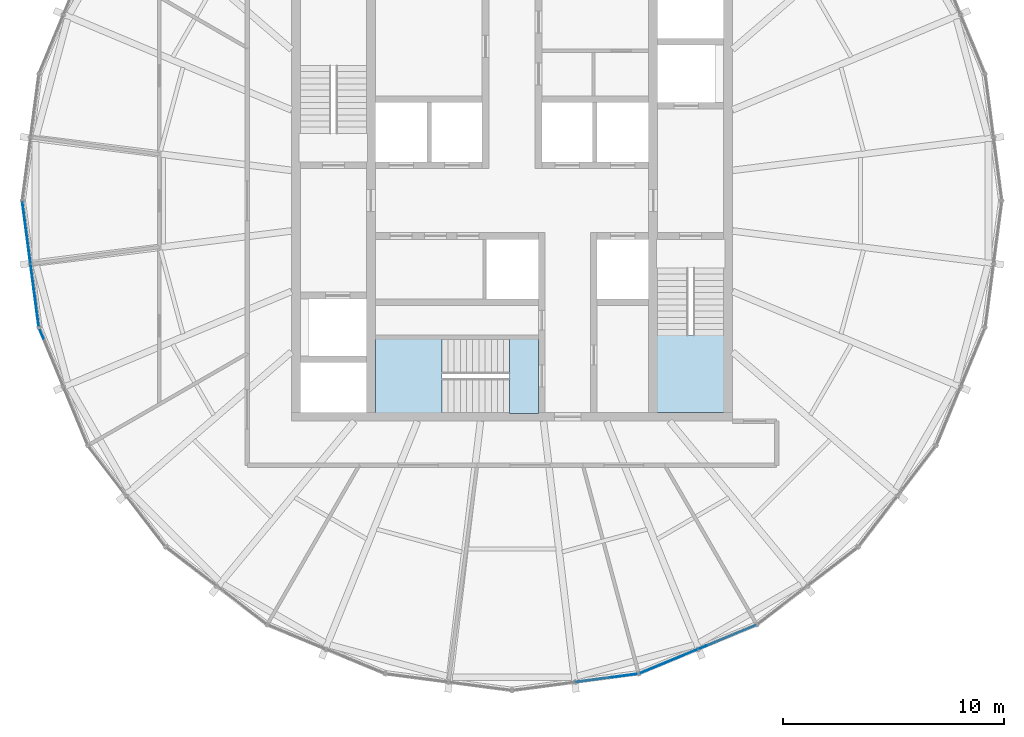
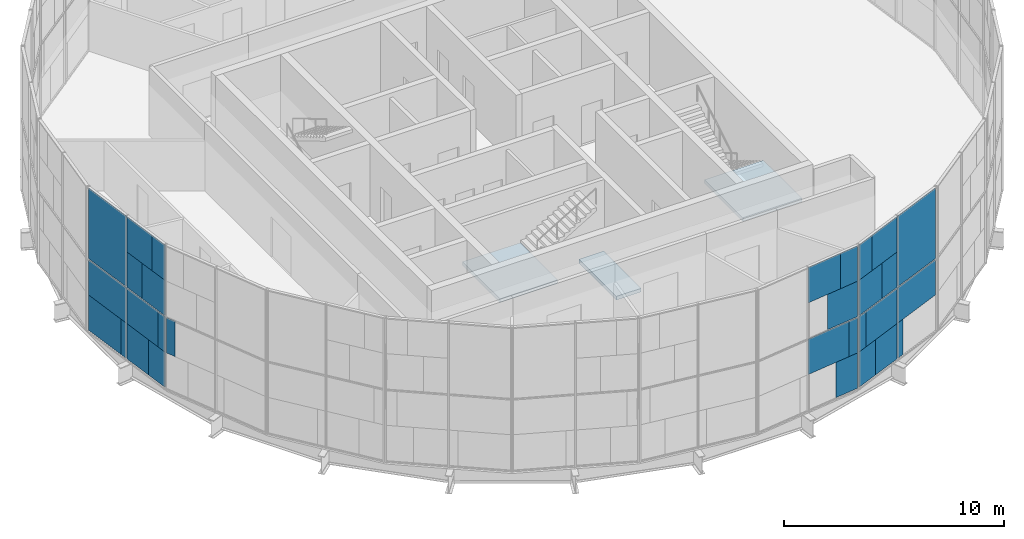
# One storey, part 9 of 19: 30 plates, 3 slabs, 6 elements without a shape of their own.
"""IFC4 building model written with IfcOpenShell, lengths in metres."""

import ifcopenshell
import ifcopenshell.guid

model = None  # the IFC model being written
_history = None  # IfcOwnerHistory: only IFC2X3 demands one
_inside = {}  # id of a spatial element -> (the spatial element, [elements in it])
_under = {}  # id of a project, library or spatial element -> (it, [spatial elements below it])
_declared = {}  # id of a project -> (the project, [libraries it declares])
_typed = {}  # id of a type object -> (the type object, [elements of that type])
_made_of = {}  # id of a material, layer set ... -> (it, [elements and type objects made of it])


def new_model(schema):
    """Start an empty IFC model of exactly this schema.

    Asked for "IFC4X3", IfcOpenShell would pick the latest addendum, in which some entities
    have other attributes; the version numbers below select the first issue.
    IFC2X3 requires an IfcOwnerHistory on every rooted entity: one is made here for all.
    """
    global model, _history
    if schema == "IFC4X3":
        model = ifcopenshell.file(schema_version=(4, 3, 0, 0))
    else:
        model = ifcopenshell.file(schema=schema)
    _inside.clear()
    _under.clear()
    _declared.clear()
    _typed.clear()
    _made_of.clear()
    _history = None
    if model.schema == "IFC2X3":
        org = make("IfcOrganization", Name="unknown")
        user = make(
            "IfcPersonAndOrganization",
            ThePerson=make("IfcPerson", FamilyName="unknown"),
            TheOrganization=org,
        )
        app = make(
            "IfcApplication",
            ApplicationDeveloper=org,
            Version="unknown",
            ApplicationFullName="unknown",
            ApplicationIdentifier="unknown",
        )
        _history = make(
            "IfcOwnerHistory",
            OwningUser=user,
            OwningApplication=app,
            ChangeAction="ADDED",
            CreationDate=0,
        )
    return model


def make(cls, **values):
    """One entity of the class cls with the attributes given. An attribute that is None is left unset."""
    return model.create_entity(
        cls, **{name: value for name, value in values.items() if value is not None}
    )


def rooted(cls, **values):
    """An entity with a GlobalId (a new one), such as an element, a storey or a relation."""
    return make(cls, GlobalId=ifcopenshell.guid.new(), OwnerHistory=_history, **values)


def si_unit(unit_type, name, prefix=None):
    """IfcSIUnit, for example si_unit("LENGTHUNIT", "METRE", prefix="MILLI")."""
    return make("IfcSIUnit", UnitType=unit_type, Prefix=prefix, Name=name)


def assignment(units):
    """IfcUnitAssignment: the units of a project."""
    return None if units is None else make("IfcUnitAssignment", Units=units)


def point(xyz):
    """IfcCartesianPoint."""
    return None if xyz is None else make("IfcCartesianPoint", Coordinates=xyz)


def direction(xyz):
    """IfcDirection."""
    return None if xyz is None else make("IfcDirection", DirectionRatios=xyz)


def frame(location, z_axis=None, x_axis=None):
    """IfcAxis2Placement3D, a coordinate frame: its origin and axes. An axis left out is left unset."""
    return make(
        "IfcAxis2Placement3D",
        Location=point(location),
        Axis=direction(z_axis),
        RefDirection=direction(x_axis),
    )


def frame_2d(location, x_axis=None):
    """IfcAxis2Placement2D, a coordinate frame in the plane: its origin and x axis."""
    return make(
        "IfcAxis2Placement2D", Location=point(location), RefDirection=direction(x_axis)
    )


def origin():
    """The frame at (0, 0, 0) with its axes left unset."""
    return frame((0.0, 0.0, 0.0))


def origin_2d():
    """The frame at (0, 0) in the plane with its x axis left unset."""
    return frame_2d((0.0, 0.0))


def place(relative_to, where):
    """IfcLocalPlacement: puts the frame where relative to a parent placement (None: the world)."""
    return make(
        "IfcLocalPlacement", PlacementRelTo=relative_to, RelativePlacement=where
    )


def context(
    kind, dimensions, precision=None, world=None, true_north=None, identifier=None
):
    """IfcGeometricRepresentationContext, for example the 3D "Model" context."""
    return make(
        "IfcGeometricRepresentationContext",
        ContextIdentifier=identifier,
        ContextType=kind,
        CoordinateSpaceDimension=dimensions,
        Precision=precision,
        WorldCoordinateSystem=world,
        TrueNorth=true_north,
    )


def subcontext(parent, identifier, kind, view, scale=None):
    """IfcGeometricRepresentationSubContext, for example "Body" below "Model"."""
    return make(
        "IfcGeometricRepresentationSubContext",
        ContextIdentifier=identifier,
        ContextType=kind,
        ParentContext=parent,
        TargetScale=scale,
        TargetView=view,
    )


def project(units=None, contexts=None):
    """IfcProject with its units and contexts."""
    return rooted(
        "IfcProject",
        Name="project",
        RepresentationContexts=contexts,
        UnitsInContext=assignment(units),
    )


def spatial(cls, under=None, at=None, **own):
    """A site, building, storey or space (cls), placed at a placement, below another one or the project."""
    s = rooted(cls, ObjectPlacement=at, **own)
    if under is not None:
        _under.setdefault(under.id(), (under, []))[1].append(s)
    return s


def polyline(points):
    """IfcPolyline through the points."""
    return make("IfcPolyline", Points=[point(p) for p in points])


def profile(cls, at=None, kind="AREA", **sizes):
    """A parametric profile (cls). Its sizes go by their IFC names, for example OverallWidth=200.0."""
    return make(cls, ProfileType=kind, Position=at, **sizes)


def rectangle(**sizes):
    """IfcRectangleProfileDef."""
    return profile("IfcRectangleProfileDef", **sizes)


def outline(outer, holes=None, kind="AREA"):
    """IfcArbitraryClosedProfileDef: a profile drawn as a closed curve; with holes, ...WithVoids."""
    if holes is None:
        return make("IfcArbitraryClosedProfileDef", ProfileType=kind, OuterCurve=outer)
    return make(
        "IfcArbitraryProfileDefWithVoids",
        ProfileType=kind,
        OuterCurve=outer,
        InnerCurves=holes,
    )


def extrude(swept, where, along, depth):
    """IfcExtrudedAreaSolid: the profile swept, set in the frame where, extruded along a direction by depth."""
    return make(
        "IfcExtrudedAreaSolid",
        SweptArea=swept,
        Position=where,
        ExtrudedDirection=direction(along),
        Depth=depth,
    )


def shape(context_of_items, identifier, shape_type, items):
    """IfcShapeRepresentation: the items that make up one representation, for example the "Body"."""
    return make(
        "IfcShapeRepresentation",
        ContextOfItems=context_of_items,
        RepresentationIdentifier=identifier,
        RepresentationType=shape_type,
        Items=items,
    )


def material(Name=None, Category=None):
    """IfcMaterial."""
    return make("IfcMaterial", Name=Name, Category=Category)


def layer(
    of_material, thickness, ventilated=None, Name=None, Category=None, Priority=None
):
    """IfcMaterialLayer: one layer of a wall or slab, of a material (None: an air gap)."""
    return make(
        "IfcMaterialLayer",
        Material=of_material,
        LayerThickness=thickness,
        IsVentilated=ventilated,
        Name=Name,
        Category=Category,
        Priority=Priority,
    )


def layer_set(layers, Name=None):
    """IfcMaterialLayerSet."""
    return make("IfcMaterialLayerSet", MaterialLayers=layers, LayerSetName=Name)


def made_of(thing, what):
    """Note that an element or type object is made of a material, layer set ...; save() writes the relation."""
    if what is not None:
        _made_of.setdefault(what.id(), (what, []))[1].append(thing)
    return thing


def type_object(cls, material=None, **own):
    """A type object (cls), such as IfcWallType, which elements share."""
    return made_of(rooted(cls, **own), material)


def element(
    cls,
    number,
    at=None,
    inside=None,
    cuts=None,
    type_object=None,
    material=None,
    context=None,
    identifier="Body",
    shape_type=None,
    held_by="IfcProductDefinitionShape",
    body=None,
    shapes=None,
    **own,
):
    """One element of the class cls, such as IfcWall. Its Tag is "e" and its number.

    at: its placement. inside: the storey or other place that contains it. cuts: it is an
    opening in that element (IfcRelVoidsElement). A single representation is given by context,
    identifier, shape_type and body (its items); several are given by shapes. held_by: the class
    of the entity that holds the representations. save() writes the other relations.
    """
    e = rooted(cls, Tag="e%d" % number, ObjectPlacement=at, **own)
    if body is not None:
        shapes = [shape(context, identifier, shape_type, body)]
    if shapes is not None:
        e.Representation = make(held_by, Representations=shapes)
    if inside is not None:
        _inside.setdefault(inside.id(), (inside, []))[1].append(e)
    if cuts is not None:
        rooted(
            "IfcRelVoidsElement", RelatingBuildingElement=cuts, RelatedOpeningElement=e
        )
    if type_object is not None:
        _typed.setdefault(type_object.id(), (type_object, []))[1].append(e)
    return made_of(e, material)


def aggregate(whole, parts):
    """IfcRelAggregates: a whole, such as a stair, and the parts it consists of."""
    return rooted("IfcRelAggregates", RelatingObject=whole, RelatedObjects=parts)


def save(model, path):
    """Write the relations noted so far, then the file.

    IfcRelAggregates (storeys below a building ...), IfcRelContainedInSpatialStructure (elements
    in a storey), IfcRelDefinesByType, IfcRelAssociatesMaterial and IfcRelDeclares: one each for
    every whole, place, type object, material and project.
    """
    for whole, parts in _under.values():
        aggregate(whole, parts)
    for where, things in _inside.values():
        rooted(
            "IfcRelContainedInSpatialStructure",
            RelatedElements=things,
            RelatingStructure=where,
        )
    for kind, things in _typed.values():
        rooted("IfcRelDefinesByType", RelatedObjects=things, RelatingType=kind)
    for what, things in _made_of.values():
        rooted("IfcRelAssociatesMaterial", RelatedObjects=things, RelatingMaterial=what)
    for by, libraries in _declared.values():
        rooted("IfcRelDeclares", RelatingContext=by, RelatedDefinitions=libraries)
    model.write(path)


model = new_model("IFC4")

# Units and contexts
model_context = context("Model", 3, precision=1e-05, world=origin(), true_north=direction((0.0, 1.0)))
body_context = subcontext(model_context, "Body", "Model", "MODEL_VIEW")
ifc_project = project(units=[si_unit("LENGTHUNIT", "METRE"), si_unit("AREAUNIT", "SQUARE_METRE"), si_unit("VOLUMEUNIT", "CUBIC_METRE"), si_unit("PLANEANGLEUNIT", "RADIAN"), si_unit("MASSUNIT", "GRAM", prefix="KILO")], contexts=[model_context])

# Site, building, storey
site_placement = place(None, origin())
site = spatial("IfcSite", under=ifc_project, at=site_placement, CompositionType="ELEMENT")
building_placement = place(site_placement, origin())
building = spatial("IfcBuilding", under=site, at=building_placement, Name="Golbaran Civic Tower", CompositionType="ELEMENT")
storey_placement = place(building_placement, frame((0.0, 0.0, 256.0)))
storey = spatial("IfcBuildingStorey", under=building, at=storey_placement, Name="L62", CompositionType="ELEMENT", Elevation=256.0)

# Curtain wall, plates
ifc_material_1 = material(Name="Aluminium and glass", Category="aluminium")
curtain_wall_type = type_object("IfcCurtainWallType", Name="INNER SKIN CURTAIN WALL EXECUTIVE", PredefinedType="NOTDEFINED", material=ifc_material_1)
curtain_wall_1_placement = place(storey_placement, origin())
curtain_wall_1 = element("IfcCurtainWall", 1, at=curtain_wall_1_placement, inside=storey, type_object=curtain_wall_type, Name="Inner skin L62 facet 13 CW2", ObjectType="INNER SKIN", PredefinedType="USERDEFINED")
ifc_material_2 = material(Name="Clear insulating glass", Category="glass")
ifc_layer_1 = layer(ifc_material_2, 0.031982421875, Name="Clear insulating glass")
ifc_layer_set_1 = layer_set([ifc_layer_1], Name="Clear insulating glass")
plate_type_1 = type_object("IfcPlateType", Name="INNER SKIN CURTAIN WALL EXECUTIVE GLAZED PANEL", PredefinedType="CURTAIN_PANEL", material=ifc_layer_set_1)
plate_1_placement = place(storey_placement, frame((-22.048095703125, -1.253173828125, 0.06005859375), z_axis=(0.0, 0.0, 1.0), x_axis=(0.130526192272, -0.991444861367, 0.0)))
plate_1 = element("IfcPlate", 2, at=plate_1_placement, type_object=plate_type_1, Name="CW2 panel 1.1 part 1", PredefinedType="CURTAIN_PANEL", context=body_context, shape_type="SweptSolid", body=[
    extrude(rectangle(XDim=2.407958984375, YDim=0.031982421875, at=origin_2d()), origin(), (0.0, 0.0, 1.0), 1.955078125),
])
plate_2_placement = place(storey_placement, frame((-22.021728515625, -1.4521484375, 2.014892578125), z_axis=(0.0, 0.0, 1.0), x_axis=(0.130526192272, -0.991444861367, 0.0)))
plate_2 = element("IfcPlate", 3, at=plate_2_placement, type_object=plate_type_1, Name="CW2 panel 1.1 part 3", PredefinedType="CURTAIN_PANEL", context=body_context, shape_type="SweptSolid", body=[
    extrude(rectangle(XDim=2.809326171875, YDim=0.031982421875, at=origin_2d()), origin(), (0.0, 0.0, 1.0), 1.955078125),
])
plate_3_placement = place(storey_placement, frame((-22.021728515625, -1.4521484375, 4.0302734375), z_axis=(0.0, 0.0, 1.0), x_axis=(0.130526192272, -0.991444861367, 0.0)))
plate_3 = element("IfcPlate", 4, at=plate_3_placement, type_object=plate_type_1, Name="CW2 panel 1.2", PredefinedType="CURTAIN_PANEL", context=body_context, shape_type="SweptSolid", body=[
    extrude(rectangle(XDim=2.809326171875, YDim=0.031982421875, at=origin_2d()), origin(), (0.0, 0.0, 1.0), 3.909912109375),
])
plate_4_placement = place(storey_placement, frame((-21.5439453125, -5.081298828125, 0.06005859375), z_axis=(0.0, 0.0, 1.0), x_axis=(0.130526192272, -0.991444861367, 0.0)))
plate_4 = element("IfcPlate", 5, at=plate_4_placement, type_object=plate_type_1, Name="CW2 panel 2.1 part 2", PredefinedType="CURTAIN_PANEL", context=body_context, shape_type="SweptSolid", body=[
    extrude(rectangle(XDim=1.227294921875, YDim=0.031982421875, at=origin_2d()), origin(), (0.0, 0.0, 1.0), 1.955078125),
])
plate_5_placement = place(storey_placement, frame((-21.495849609375, -5.447998046875, 2.014892578125), z_axis=(0.0, 0.0, 1.0), x_axis=(0.130526192272, -0.991444861367, 0.0)))
plate_5 = element("IfcPlate", 6, at=plate_5_placement, type_object=plate_type_1, Name="CW2 panel 2.1 part 4", PredefinedType="CURTAIN_PANEL", context=body_context, shape_type="SweptSolid", body=[
    extrude(rectangle(XDim=0.4873046875, YDim=0.031982421875, at=origin_2d()), origin(), (0.0, 0.0, 1.0), 1.955078125),
])
plate_6_placement = place(storey_placement, frame((-21.757568359375, -3.45849609375, 4.030029296875), z_axis=(0.0, 0.0, 1.0), x_axis=(0.130526192272, -0.991444861367, 0.0)))
plate_6 = element("IfcPlate", 7, at=plate_6_placement, type_object=plate_type_1, Name="CW2 panel 2.2 part 1", PredefinedType="CURTAIN_PANEL", context=body_context, shape_type="SweptSolid", body=[
    extrude(rectangle(XDim=1.117919921875, YDim=0.031982421875, at=origin_2d()), origin(), (0.0, 0.0, 1.0), 1.955078125),
])
plate_7_placement = place(storey_placement, frame((-21.70947265625, -3.824951171875, 5.98486328125), z_axis=(0.0, 0.0, 1.0), x_axis=(0.130526192272, -0.991444861367, 0.0)))
plate_7 = element("IfcPlate", 8, at=plate_7_placement, type_object=plate_type_1, Name="CW2 panel 2.2 part 3", PredefinedType="CURTAIN_PANEL", context=body_context, shape_type="SweptSolid", body=[
    extrude(rectangle(XDim=1.85693359375, YDim=0.031982421875, at=origin_2d()), origin(), (0.0, 0.0, 1.0), 1.955078125),
])

# Curtain wall, plate
curtain_wall_2_placement = place(storey_placement, origin())
curtain_wall_2 = element("IfcCurtainWall", 9, at=curtain_wall_2_placement, inside=storey, type_object=curtain_wall_type, Name="Inner skin L62 facet 14 CW2", ObjectType="INNER SKIN", PredefinedType="USERDEFINED")
plate_8_placement = place(storey_placement, frame((-21.33984375, -6.030029296875, 2.014892578125), z_axis=(0.0, 0.0, 1.0), x_axis=(0.382683432365, -0.923879532511, 0.0)))
plate_8 = element("IfcPlate", 10, at=plate_8_placement, type_object=plate_type_1, Name="CW2 panel 1.1 part 3", PredefinedType="CURTAIN_PANEL", context=body_context, shape_type="SweptSolid", body=[
    extrude(rectangle(XDim=0.488037109375, YDim=0.031982421875, at=origin_2d()), origin(), (0.0, 0.0, 1.0), 1.955078125),
])
aggregate(curtain_wall_2, [plate_8])

# Curtain wall, plates
curtain_wall_3_placement = place(storey_placement, origin())
curtain_wall_3 = element("IfcCurtainWall", 11, at=curtain_wall_3_placement, inside=storey, type_object=curtain_wall_type, Name="Inner skin L62 facet 19 CW2", ObjectType="INNER SKIN", PredefinedType="USERDEFINED")
plate_9_placement = place(storey_placement, frame((5.081298828125, -21.5439453125, 0.06005859375), z_axis=(0.0, 0.0, 1.0), x_axis=(0.991444861367, 0.130526192272, 0.0)))
plate_9 = element("IfcPlate", 12, at=plate_9_placement, type_object=plate_type_1, Name="CW2 panel 2.1 part 2", PredefinedType="CURTAIN_PANEL", context=body_context, shape_type="SweptSolid", body=[
    extrude(rectangle(XDim=1.227294921875, YDim=0.031982421875, at=origin_2d()), origin(), (0.0, 0.0, 1.0), 1.955078125),
])
plate_10_placement = place(storey_placement, frame((5.447998046875, -21.495849609375, 2.014892578125), z_axis=(0.0, 0.0, 1.0), x_axis=(0.991444861367, 0.130526192272, 0.0)))
plate_10 = element("IfcPlate", 13, at=plate_10_placement, type_object=plate_type_1, Name="CW2 panel 2.1 part 4", PredefinedType="CURTAIN_PANEL", context=body_context, shape_type="SweptSolid", body=[
    extrude(rectangle(XDim=0.4873046875, YDim=0.031982421875, at=origin_2d()), origin(), (0.0, 0.0, 1.0), 1.955078125),
])
plate_11_placement = place(storey_placement, frame((3.824951171875, -21.70947265625, 5.98486328125), z_axis=(0.0, 0.0, 1.0), x_axis=(0.991444861367, 0.130526192272, 0.0)))
plate_11 = element("IfcPlate", 14, at=plate_11_placement, type_object=plate_type_1, Name="CW2 panel 2.2 part 3", PredefinedType="CURTAIN_PANEL", context=body_context, shape_type="SweptSolid", body=[
    extrude(rectangle(XDim=1.85693359375, YDim=0.031982421875, at=origin_2d()), origin(), (0.0, 0.0, 1.0), 1.955078125),
])

curtain_wall_4_placement = place(storey_placement, origin())
curtain_wall_4 = element("IfcCurtainWall", 15, at=curtain_wall_4_placement, inside=storey, type_object=curtain_wall_type, Name="Inner skin L62 facet 20 CW2", ObjectType="INNER SKIN", PredefinedType="USERDEFINED")
plate_12_placement = place(storey_placement, frame((6.371337890625, -21.198486328125, 0.06005859375), z_axis=(0.0, 0.0, 1.0), x_axis=(0.923879532511, 0.382683432365, 0.0)))
plate_12 = element("IfcPlate", 16, at=plate_12_placement, type_object=plate_type_1, Name="CW2 panel 1.1 part 1", PredefinedType="CURTAIN_PANEL", context=body_context, shape_type="SweptSolid", body=[
    extrude(rectangle(XDim=1.22705078125, YDim=0.031982421875, at=origin_2d()), origin(), (0.0, 0.0, 1.0), 1.955078125),
])
plate_13_placement = place(storey_placement, frame((6.030029296875, -21.33984375, 2.014892578125), z_axis=(0.0, 0.0, 1.0), x_axis=(0.923879532511, 0.382683432365, 0.0)))
plate_13 = element("IfcPlate", 17, at=plate_13_placement, type_object=plate_type_1, Name="CW2 panel 1.1 part 3", PredefinedType="CURTAIN_PANEL", context=body_context, shape_type="SweptSolid", body=[
    extrude(rectangle(XDim=0.488037109375, YDim=0.031982421875, at=origin_2d()), origin(), (0.0, 0.0, 1.0), 1.955078125),
])
plate_14_placement = place(storey_placement, frame((7.884033203125, -20.57177734375, 4.030029296875), z_axis=(0.0, 0.0, 1.0), x_axis=(0.923879532511, 0.382683432365, 0.0)))
plate_14 = element("IfcPlate", 18, at=plate_14_placement, type_object=plate_type_1, Name="CW2 panel 1.2 part 2", PredefinedType="CURTAIN_PANEL", context=body_context, shape_type="SweptSolid", body=[
    extrude(rectangle(XDim=1.117431640625, YDim=0.031982421875, at=origin_2d()), origin(), (0.0, 0.0, 1.0), 1.955078125),
])
plate_15_placement = place(storey_placement, frame((7.5419921875, -20.71337890625, 5.98486328125), z_axis=(0.0, 0.0, 1.0), x_axis=(0.923879532511, 0.382683432365, 0.0)))
plate_15 = element("IfcPlate", 19, at=plate_15_placement, type_object=plate_type_1, Name="CW2 panel 1.2 part 4", PredefinedType="CURTAIN_PANEL", context=body_context, shape_type="SweptSolid", body=[
    extrude(rectangle(XDim=1.857421875, YDim=0.031982421875, at=origin_2d()), origin(), (0.0, 0.0, 1.0), 1.955078125),
])
plate_16_placement = place(storey_placement, frame((9.75341796875, -19.797607421875, 2.014892578125), z_axis=(0.0, 0.0, 1.0), x_axis=(0.923879532511, 0.382683432365, 0.0)))
plate_16 = element("IfcPlate", 20, at=plate_16_placement, type_object=plate_type_1, Name="CW2 panel 2.1 part 3", PredefinedType="CURTAIN_PANEL", context=body_context, shape_type="SweptSolid", body=[
    extrude(rectangle(XDim=2.809326171875, YDim=0.031982421875, at=origin_2d()), origin(), (0.0, 0.0, 1.0), 1.955078125),
])
plate_17_placement = place(storey_placement, frame((9.75341796875, -19.797607421875, 4.0302734375), z_axis=(0.0, 0.0, 1.0), x_axis=(0.923879532511, 0.382683432365, 0.0)))
plate_17 = element("IfcPlate", 21, at=plate_17_placement, type_object=plate_type_1, Name="CW2 panel 2.2", PredefinedType="CURTAIN_PANEL", context=body_context, shape_type="SweptSolid", body=[
    extrude(rectangle(XDim=2.809326171875, YDim=0.031982421875, at=origin_2d()), origin(), (0.0, 0.0, 1.0), 3.909912109375),
])

# Plate
ifc_material_3 = material(Name="Aluminium faced opaque infill panel", Category="aluminium")
ifc_layer_2 = layer(ifc_material_3, 0.031982421875, Name="Aluminium faced opaque infill panel")
ifc_layer_set_2 = layer_set([ifc_layer_2], Name="Aluminium faced opaque infill panel")
plate_type_2 = type_object("IfcPlateType", Name="INNER SKIN CURTAIN WALL EXECUTIVE OPAQUE INFILL PANEL", PredefinedType="CURTAIN_PANEL", material=ifc_layer_set_2)
plate_18_placement = place(storey_placement, frame((-21.86474609375, -2.645751953125, 0.06005859375), z_axis=(0.0, 0.0, 1.0), x_axis=(0.130526192272, -0.991444861367, 0.0)))
plate_18 = element("IfcPlate", 22, at=plate_18_placement, type_object=plate_type_2, Name="CW2 infill panel 1.1 part 2", PredefinedType="CURTAIN_PANEL", context=body_context, shape_type="SweptSolid", body=[
    extrude(rectangle(XDim=0.4013671875, YDim=0.031982421875, at=origin_2d()), origin(), (0.0, 0.0, 1.0), 1.955078125),
])

plate_19_placement = place(storey_placement, frame((-21.727294921875, -3.6884765625, 0.06005859375), z_axis=(0.0, 0.0, 1.0), x_axis=(0.130526192272, -0.991444861367, 0.0)))
plate_19 = element("IfcPlate", 23, at=plate_19_placement, type_object=plate_type_2, Name="CW2 infill panel 2.1 part 1", PredefinedType="CURTAIN_PANEL", context=body_context, shape_type="SweptSolid", body=[
    extrude(rectangle(XDim=1.58203125, YDim=0.031982421875, at=origin_2d()), origin(), (0.0, 0.0, 1.0), 1.955078125),
])

plate_20_placement = place(storey_placement, frame((-21.67919921875, -4.055419921875, 2.014892578125), z_axis=(0.0, 0.0, 1.0), x_axis=(0.130526192272, -0.991444861367, 0.0)))
plate_20 = element("IfcPlate", 24, at=plate_20_placement, type_object=plate_type_2, Name="CW2 infill panel 2.1 part 3", PredefinedType="CURTAIN_PANEL", context=body_context, shape_type="SweptSolid", body=[
    extrude(rectangle(XDim=2.322021484375, YDim=0.031982421875, at=origin_2d()), origin(), (0.0, 0.0, 1.0), 1.955078125),
])

plate_21_placement = place(storey_placement, frame((-21.57421875, -4.851318359375, 4.030029296875), z_axis=(0.0, 0.0, 1.0), x_axis=(0.130526192272, -0.991444861367, 0.0)))
plate_21 = element("IfcPlate", 25, at=plate_21_placement, type_object=plate_type_2, Name="CW2 infill panel 2.2 part 2", PredefinedType="CURTAIN_PANEL", context=body_context, shape_type="SweptSolid", body=[
    extrude(rectangle(XDim=1.69140625, YDim=0.031982421875, at=origin_2d()), origin(), (0.0, 0.0, 1.0), 1.955078125),
])

plate_22_placement = place(storey_placement, frame((-21.526123046875, -5.217529296875, 5.98486328125), z_axis=(0.0, 0.0, 1.0), x_axis=(0.130526192272, -0.991444861367, 0.0)))
plate_22 = element("IfcPlate", 26, at=plate_22_placement, type_object=plate_type_2, Name="CW2 infill panel 2.2 part 4", PredefinedType="CURTAIN_PANEL", context=body_context, shape_type="SweptSolid", body=[
    extrude(rectangle(XDim=0.952392578125, YDim=0.031982421875, at=origin_2d()), origin(), (0.0, 0.0, 1.0), 1.955078125),
])

aggregate(curtain_wall_1, [plate_1, plate_18, plate_2, plate_3, plate_19, plate_4, plate_20, plate_5, plate_6, plate_21, plate_7, plate_22])

plate_23_placement = place(storey_placement, frame((4.055419921875, -21.67919921875, 2.014892578125), z_axis=(0.0, 0.0, 1.0), x_axis=(0.991444861367, 0.130526192272, 0.0)))
plate_23 = element("IfcPlate", 27, at=plate_23_placement, type_object=plate_type_2, Name="CW2 infill panel 2.1 part 3", PredefinedType="CURTAIN_PANEL", context=body_context, shape_type="SweptSolid", body=[
    extrude(rectangle(XDim=2.322021484375, YDim=0.031982421875, at=origin_2d()), origin(), (0.0, 0.0, 1.0), 1.955078125),
])

plate_24_placement = place(storey_placement, frame((4.851318359375, -21.57421875, 4.030029296875), z_axis=(0.0, 0.0, 1.0), x_axis=(0.991444861367, 0.130526192272, 0.0)))
plate_24 = element("IfcPlate", 28, at=plate_24_placement, type_object=plate_type_2, Name="CW2 infill panel 2.2 part 2", PredefinedType="CURTAIN_PANEL", context=body_context, shape_type="SweptSolid", body=[
    extrude(rectangle(XDim=1.69140625, YDim=0.031982421875, at=origin_2d()), origin(), (0.0, 0.0, 1.0), 1.955078125),
])

plate_25_placement = place(storey_placement, frame((5.217529296875, -21.526123046875, 5.98486328125), z_axis=(0.0, 0.0, 1.0), x_axis=(0.991444861367, 0.130526192272, 0.0)))
plate_25 = element("IfcPlate", 29, at=plate_25_placement, type_object=plate_type_2, Name="CW2 infill panel 2.2 part 4", PredefinedType="CURTAIN_PANEL", context=body_context, shape_type="SweptSolid", body=[
    extrude(rectangle(XDim=0.952392578125, YDim=0.031982421875, at=origin_2d()), origin(), (0.0, 0.0, 1.0), 1.955078125),
])

aggregate(curtain_wall_3, [plate_9, plate_23, plate_10, plate_24, plate_11, plate_25])

plate_26_placement = place(storey_placement, frame((7.669189453125, -20.660888671875, 0.06005859375), z_axis=(0.0, 0.0, 1.0), x_axis=(0.923879532511, 0.382683432365, 0.0)))
plate_26 = element("IfcPlate", 30, at=plate_26_placement, type_object=plate_type_2, Name="CW2 infill panel 1.1 part 2", PredefinedType="CURTAIN_PANEL", context=body_context, shape_type="SweptSolid", body=[
    extrude(rectangle(XDim=1.582275390625, YDim=0.031982421875, at=origin_2d()), origin(), (0.0, 0.0, 1.0), 1.955078125),
])

plate_27_placement = place(storey_placement, frame((7.327880859375, -20.80224609375, 2.014892578125), z_axis=(0.0, 0.0, 1.0), x_axis=(0.923879532511, 0.382683432365, 0.0)))
plate_27 = element("IfcPlate", 31, at=plate_27_placement, type_object=plate_type_2, Name="CW2 infill panel 1.1 part 4", PredefinedType="CURTAIN_PANEL", context=body_context, shape_type="SweptSolid", body=[
    extrude(rectangle(XDim=2.3212890625, YDim=0.031982421875, at=origin_2d()), origin(), (0.0, 0.0, 1.0), 1.955078125),
])

plate_28_placement = place(storey_placement, frame((6.586181640625, -21.109375, 4.030029296875), z_axis=(0.0, 0.0, 1.0), x_axis=(0.923879532511, 0.382683432365, 0.0)))
plate_28 = element("IfcPlate", 32, at=plate_28_placement, type_object=plate_type_2, Name="CW2 infill panel 1.2 part 1", PredefinedType="CURTAIN_PANEL", context=body_context, shape_type="SweptSolid", body=[
    extrude(rectangle(XDim=1.69189453125, YDim=0.031982421875, at=origin_2d()), origin(), (0.0, 0.0, 1.0), 1.955078125),
])

plate_29_placement = place(storey_placement, frame((6.244384765625, -21.2509765625, 5.98486328125), z_axis=(0.0, 0.0, 1.0), x_axis=(0.923879532511, 0.382683432365, 0.0)))
plate_29 = element("IfcPlate", 33, at=plate_29_placement, type_object=plate_type_2, Name="CW2 infill panel 1.2 part 3", PredefinedType="CURTAIN_PANEL", context=body_context, shape_type="SweptSolid", body=[
    extrude(rectangle(XDim=0.951904296875, YDim=0.031982421875, at=origin_2d()), origin(), (0.0, 0.0, 1.0), 1.955078125),
])

plate_30_placement = place(storey_placement, frame((8.640380859375, -20.258544921875, 0.06005859375), z_axis=(0.0, 0.0, 1.0), x_axis=(0.923879532511, 0.382683432365, 0.0)))
plate_30 = element("IfcPlate", 34, at=plate_30_placement, type_object=plate_type_2, Name="CW2 infill panel 2.1 part 1", PredefinedType="CURTAIN_PANEL", context=body_context, shape_type="SweptSolid", body=[
    extrude(rectangle(XDim=0.39990234375, YDim=0.031982421875, at=origin_2d()), origin(), (0.0, 0.0, 1.0), 1.955078125),
])

aggregate(curtain_wall_4, [plate_12, plate_26, plate_13, plate_27, plate_28, plate_14, plate_29, plate_15, plate_30, plate_16, plate_17])

# Stair, slab
ifc_material_4 = material(Name="Concrete C35/45", Category="concrete")
stair_type_1 = type_object("IfcStairType", Name="EXIT STAIR 3000 x 7850, 4000 RISE", PredefinedType="HALF_TURN_STAIR", material=ifc_material_4)
stair_1_placement = place(storey_placement, origin())
stair_1 = element("IfcStair", 35, at=stair_1_placement, inside=storey, type_object=stair_type_1, Name="Stair S2 L62", PredefinedType="HALF_TURN_STAIR")
ifc_layer_3 = layer(ifc_material_4, 0.199951171875, Name="Concrete C35/45")
ifc_layer_set_3 = layer_set([ifc_layer_3], Name="Concrete C35/45")
slab_type = type_object("IfcSlabType", Name="STAIR LANDING 200", PredefinedType="LANDING", material=ifc_layer_set_3)
slab_1_placement = place(storey_placement, frame((0.0, 0.0, 1.800048828125)))
slab_1 = element("IfcSlab", 36, at=slab_1_placement, type_object=slab_type, Name="ST30078-40 landing 1", PredefinedType="LANDING", context=body_context, shape_type="SweptSolid", body=[
    extrude(outline(polyline([(9.64990234375, -6.125), (9.64990234375, -9.60009765625), (6.550048828125, -9.60009765625), (6.550048828125, -6.125), (9.64990234375, -6.125)])), origin(), (0.0, 0.0, 1.0), 0.199951171875),
])
aggregate(stair_1, [slab_1])

stair_type_2 = type_object("IfcStairType", Name="EXIT STAIR 3300 x 7400, 4000 RISE", PredefinedType="HALF_TURN_STAIR", material=ifc_material_4)
stair_2_placement = place(storey_placement, origin())
stair_2 = element("IfcStair", 37, at=stair_2_placement, inside=storey, type_object=stair_type_2, Name="Stair S3 L62", PredefinedType="HALF_TURN_STAIR")
slab_2_placement = place(storey_placement, frame((0.0, 0.0, 1.800048828125)))
slab_2 = element("IfcSlab", 38, at=slab_2_placement, type_object=slab_type, Name="ST33074-40 landing 1", PredefinedType="LANDING", context=body_context, shape_type="SweptSolid", body=[
    extrude(outline(polyline([(-3.175048828125, -9.64990234375), (-6.199951171875, -9.64990234375), (-6.199951171875, -6.25), (-3.175048828125, -6.25), (-3.175048828125, -9.64990234375)])), origin(), (0.0, 0.0, 1.0), 0.199951171875),
])
aggregate(stair_2, [slab_2])

# Slab
slab_3_placement = place(storey_placement, frame((0.0, 0.0, -0.199951171875)))
element("IfcSlab", 39, at=slab_3_placement, inside=storey, type_object=slab_type, Name="Stair S3 floor landing L62", PredefinedType="LANDING", context=body_context, shape_type="SweptSolid", body=[
    extrude(outline(polyline([(1.199951171875, -9.64990234375), (-0.10498046875, -9.64990234375), (-0.10498046875, -6.25), (1.199951171875, -6.25), (1.199951171875, -9.64990234375)])), origin(), (0.0, 0.0, 1.0), 0.199951171875),
])

save(model, "model.ifc")
